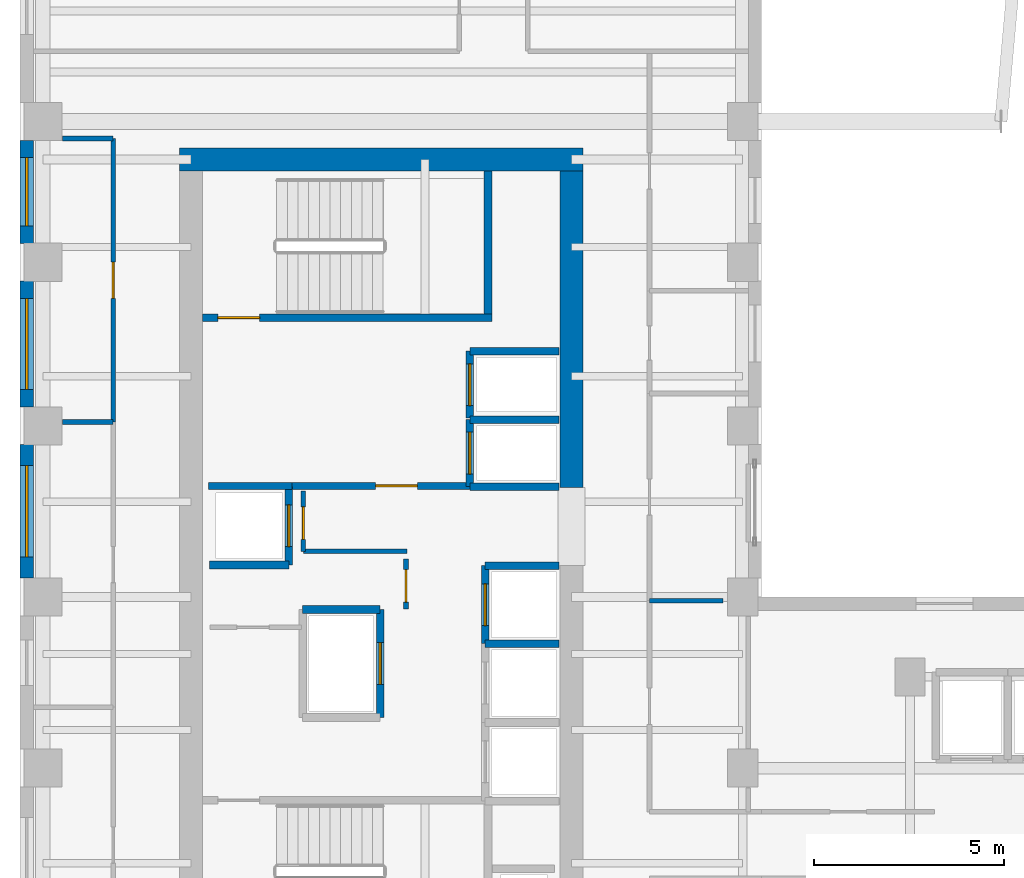
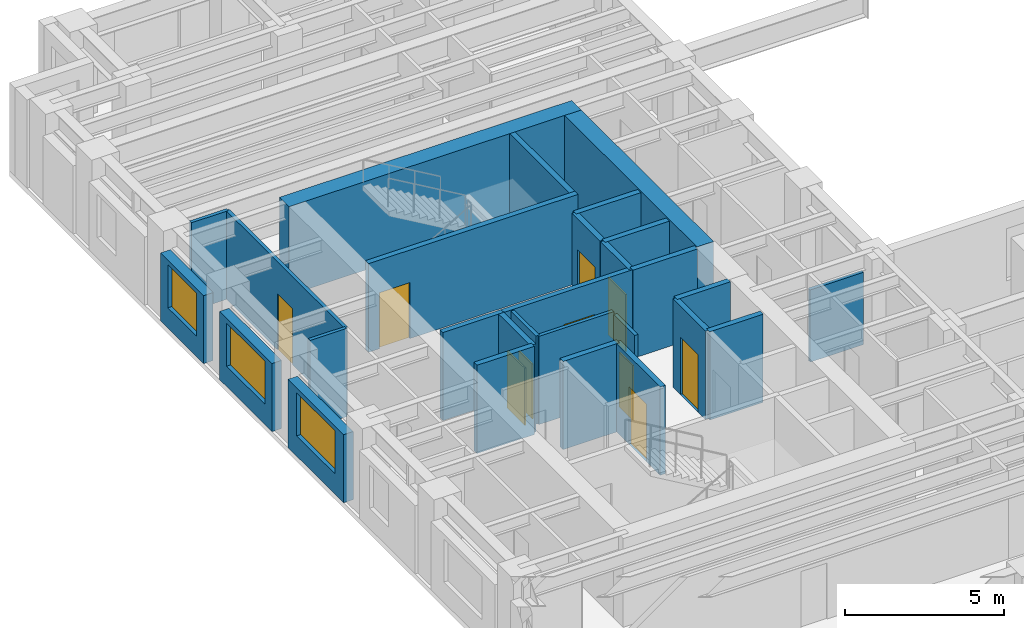
# One storey, part 7 of 13: 28 walls, 10 doors, 3 windows, 13 openings.
"""IFC4 building model written with IfcOpenShell, lengths in metres."""

import ifcopenshell
import ifcopenshell.guid

model = None  # the IFC model being written
_history = None  # IfcOwnerHistory: only IFC2X3 demands one
_inside = {}  # id of a spatial element -> (the spatial element, [elements in it])
_under = {}  # id of a project, library or spatial element -> (it, [spatial elements below it])
_declared = {}  # id of a project -> (the project, [libraries it declares])
_typed = {}  # id of a type object -> (the type object, [elements of that type])
_made_of = {}  # id of a material, layer set ... -> (it, [elements and type objects made of it])


def new_model(schema):
    """Start an empty IFC model of exactly this schema.

    Asked for "IFC4X3", IfcOpenShell would pick the latest addendum, in which some entities
    have other attributes; the version numbers below select the first issue.
    IFC2X3 requires an IfcOwnerHistory on every rooted entity: one is made here for all.
    """
    global model, _history
    if schema == "IFC4X3":
        model = ifcopenshell.file(schema_version=(4, 3, 0, 0))
    else:
        model = ifcopenshell.file(schema=schema)
    _inside.clear()
    _under.clear()
    _declared.clear()
    _typed.clear()
    _made_of.clear()
    _history = None
    if model.schema == "IFC2X3":
        org = make("IfcOrganization", Name="unknown")
        user = make(
            "IfcPersonAndOrganization",
            ThePerson=make("IfcPerson", FamilyName="unknown"),
            TheOrganization=org,
        )
        app = make(
            "IfcApplication",
            ApplicationDeveloper=org,
            Version="unknown",
            ApplicationFullName="unknown",
            ApplicationIdentifier="unknown",
        )
        _history = make(
            "IfcOwnerHistory",
            OwningUser=user,
            OwningApplication=app,
            ChangeAction="ADDED",
            CreationDate=0,
        )
    return model


def make(cls, **values):
    """One entity of the class cls with the attributes given. An attribute that is None is left unset."""
    return model.create_entity(
        cls, **{name: value for name, value in values.items() if value is not None}
    )


def rooted(cls, **values):
    """An entity with a GlobalId (a new one), such as an element, a storey or a relation."""
    return make(cls, GlobalId=ifcopenshell.guid.new(), OwnerHistory=_history, **values)


def si_unit(unit_type, name, prefix=None):
    """IfcSIUnit, for example si_unit("LENGTHUNIT", "METRE", prefix="MILLI")."""
    return make("IfcSIUnit", UnitType=unit_type, Prefix=prefix, Name=name)


def assignment(units):
    """IfcUnitAssignment: the units of a project."""
    return None if units is None else make("IfcUnitAssignment", Units=units)


def point(xyz):
    """IfcCartesianPoint."""
    return None if xyz is None else make("IfcCartesianPoint", Coordinates=xyz)


def direction(xyz):
    """IfcDirection."""
    return None if xyz is None else make("IfcDirection", DirectionRatios=xyz)


def frame(location, z_axis=None, x_axis=None):
    """IfcAxis2Placement3D, a coordinate frame: its origin and axes. An axis left out is left unset."""
    return make(
        "IfcAxis2Placement3D",
        Location=point(location),
        Axis=direction(z_axis),
        RefDirection=direction(x_axis),
    )


def frame_2d(location, x_axis=None):
    """IfcAxis2Placement2D, a coordinate frame in the plane: its origin and x axis."""
    return make(
        "IfcAxis2Placement2D", Location=point(location), RefDirection=direction(x_axis)
    )


def origin():
    """The frame at (0, 0, 0) with its axes left unset."""
    return frame((0.0, 0.0, 0.0))


def place(relative_to, where):
    """IfcLocalPlacement: puts the frame where relative to a parent placement (None: the world)."""
    return make(
        "IfcLocalPlacement", PlacementRelTo=relative_to, RelativePlacement=where
    )


def context(
    kind, dimensions, precision=None, world=None, true_north=None, identifier=None
):
    """IfcGeometricRepresentationContext, for example the 3D "Model" context."""
    return make(
        "IfcGeometricRepresentationContext",
        ContextIdentifier=identifier,
        ContextType=kind,
        CoordinateSpaceDimension=dimensions,
        Precision=precision,
        WorldCoordinateSystem=world,
        TrueNorth=true_north,
    )


def subcontext(parent, identifier, kind, view, scale=None):
    """IfcGeometricRepresentationSubContext, for example "Body" below "Model"."""
    return make(
        "IfcGeometricRepresentationSubContext",
        ContextIdentifier=identifier,
        ContextType=kind,
        ParentContext=parent,
        TargetScale=scale,
        TargetView=view,
    )


def project(units=None, contexts=None):
    """IfcProject with its units and contexts."""
    return rooted(
        "IfcProject",
        Name="project",
        RepresentationContexts=contexts,
        UnitsInContext=assignment(units),
    )


def spatial(cls, under=None, at=None, **own):
    """A site, building, storey or space (cls), placed at a placement, below another one or the project."""
    s = rooted(cls, ObjectPlacement=at, **own)
    if under is not None:
        _under.setdefault(under.id(), (under, []))[1].append(s)
    return s


def profile(cls, at=None, kind="AREA", **sizes):
    """A parametric profile (cls). Its sizes go by their IFC names, for example OverallWidth=200.0."""
    return make(cls, ProfileType=kind, Position=at, **sizes)


def rectangle(**sizes):
    """IfcRectangleProfileDef."""
    return profile("IfcRectangleProfileDef", **sizes)


def extrude(swept, where, along, depth):
    """IfcExtrudedAreaSolid: the profile swept, set in the frame where, extruded along a direction by depth."""
    return make(
        "IfcExtrudedAreaSolid",
        SweptArea=swept,
        Position=where,
        ExtrudedDirection=direction(along),
        Depth=depth,
    )


def shape(context_of_items, identifier, shape_type, items):
    """IfcShapeRepresentation: the items that make up one representation, for example the "Body"."""
    return make(
        "IfcShapeRepresentation",
        ContextOfItems=context_of_items,
        RepresentationIdentifier=identifier,
        RepresentationType=shape_type,
        Items=items,
    )


def source(mapping_origin, context_of_items, identifier, shape_type, items):
    """IfcRepresentationMap: a shape defined once, which mapped items show again and again."""
    return make(
        "IfcRepresentationMap",
        MappingOrigin=mapping_origin,
        MappedRepresentation=shape(context_of_items, identifier, shape_type, items),
    )


def transform(
    local_origin,
    x_axis=None,
    y_axis=None,
    z_axis=None,
    scale=None,
    scale2=None,
    scale3=None,
    uniform=True,
):
    """IfcCartesianTransformationOperator3D, or its non-uniform kind. x_axis, y_axis, z_axis: its Axis1, 2, 3."""
    if uniform:
        return make(
            "IfcCartesianTransformationOperator3D",
            Axis1=direction(x_axis),
            Axis2=direction(y_axis),
            LocalOrigin=point(local_origin),
            Scale=scale,
            Axis3=direction(z_axis),
        )
    return make(
        "IfcCartesianTransformationOperator3DnonUniform",
        Axis1=direction(x_axis),
        Axis2=direction(y_axis),
        LocalOrigin=point(local_origin),
        Scale=scale,
        Axis3=direction(z_axis),
        Scale2=scale2,
        Scale3=scale3,
    )


def mapped(mapping_source, mapping_target):
    """IfcMappedItem: shows the shape of a source again, moved by a transform."""
    return make(
        "IfcMappedItem", MappingSource=mapping_source, MappingTarget=mapping_target
    )


def material(Name=None, Category=None):
    """IfcMaterial."""
    return make("IfcMaterial", Name=Name, Category=Category)


def layer(
    of_material, thickness, ventilated=None, Name=None, Category=None, Priority=None
):
    """IfcMaterialLayer: one layer of a wall or slab, of a material (None: an air gap)."""
    return make(
        "IfcMaterialLayer",
        Material=of_material,
        LayerThickness=thickness,
        IsVentilated=ventilated,
        Name=Name,
        Category=Category,
        Priority=Priority,
    )


def layer_set(layers, Name=None):
    """IfcMaterialLayerSet."""
    return make("IfcMaterialLayerSet", MaterialLayers=layers, LayerSetName=Name)


def made_of(thing, what):
    """Note that an element or type object is made of a material, layer set ...; save() writes the relation."""
    if what is not None:
        _made_of.setdefault(what.id(), (what, []))[1].append(thing)
    return thing


def type_object(cls, material=None, **own):
    """A type object (cls), such as IfcWallType, which elements share."""
    return made_of(rooted(cls, **own), material)


def element(
    cls,
    number,
    at=None,
    inside=None,
    cuts=None,
    type_object=None,
    material=None,
    context=None,
    identifier="Body",
    shape_type=None,
    held_by="IfcProductDefinitionShape",
    body=None,
    shapes=None,
    **own,
):
    """One element of the class cls, such as IfcWall. Its Tag is "e" and its number.

    at: its placement. inside: the storey or other place that contains it. cuts: it is an
    opening in that element (IfcRelVoidsElement). A single representation is given by context,
    identifier, shape_type and body (its items); several are given by shapes. held_by: the class
    of the entity that holds the representations. save() writes the other relations.
    """
    e = rooted(cls, Tag="e%d" % number, ObjectPlacement=at, **own)
    if body is not None:
        shapes = [shape(context, identifier, shape_type, body)]
    if shapes is not None:
        e.Representation = make(held_by, Representations=shapes)
    if inside is not None:
        _inside.setdefault(inside.id(), (inside, []))[1].append(e)
    if cuts is not None:
        rooted(
            "IfcRelVoidsElement", RelatingBuildingElement=cuts, RelatedOpeningElement=e
        )
    if type_object is not None:
        _typed.setdefault(type_object.id(), (type_object, []))[1].append(e)
    return made_of(e, material)


def fill(opening, filler):
    """IfcRelFillsElement: the door or window that sits in an opening."""
    return rooted(
        "IfcRelFillsElement",
        RelatingOpeningElement=opening,
        RelatedBuildingElement=filler,
    )


def aggregate(whole, parts):
    """IfcRelAggregates: a whole, such as a stair, and the parts it consists of."""
    return rooted("IfcRelAggregates", RelatingObject=whole, RelatedObjects=parts)


def save(model, path):
    """Write the relations noted so far, then the file.

    IfcRelAggregates (storeys below a building ...), IfcRelContainedInSpatialStructure (elements
    in a storey), IfcRelDefinesByType, IfcRelAssociatesMaterial and IfcRelDeclares: one each for
    every whole, place, type object, material and project.
    """
    for whole, parts in _under.values():
        aggregate(whole, parts)
    for where, things in _inside.values():
        rooted(
            "IfcRelContainedInSpatialStructure",
            RelatedElements=things,
            RelatingStructure=where,
        )
    for kind, things in _typed.values():
        rooted("IfcRelDefinesByType", RelatedObjects=things, RelatingType=kind)
    for what, things in _made_of.values():
        rooted("IfcRelAssociatesMaterial", RelatedObjects=things, RelatingMaterial=what)
    for by, libraries in _declared.values():
        rooted("IfcRelDeclares", RelatingContext=by, RelatedDefinitions=libraries)
    model.write(path)


model = new_model("IFC4")

# Units and contexts
model_context = context("Model", 3, precision=1e-05, world=origin(), true_north=direction((0.0, 1.0)))
body_context = subcontext(model_context, "Body", "Model", "MODEL_VIEW")
ifc_project = project(units=[si_unit("LENGTHUNIT", "METRE"), si_unit("AREAUNIT", "SQUARE_METRE"), si_unit("VOLUMEUNIT", "CUBIC_METRE"), si_unit("PLANEANGLEUNIT", "RADIAN"), si_unit("MASSUNIT", "GRAM", prefix="KILO")], contexts=[model_context])

# Site, building, storey
site_placement = place(None, origin())
site = spatial("IfcSite", under=ifc_project, at=site_placement, CompositionType="ELEMENT")
building_placement = place(site_placement, origin())
building = spatial("IfcBuilding", under=site, at=building_placement, Name="Kharzan Plaza Tower", CompositionType="ELEMENT")
storey_placement = place(building_placement, frame((0.0, 0.0, 197.10009765625)))
storey = spatial("IfcBuildingStorey", under=building, at=storey_placement, Name="L53", CompositionType="ELEMENT", Elevation=197.10009765625)

# Wall, opening, window
ifc_material_1 = material(Name="Concrete C40/50", Category="concrete")
ifc_layer_1 = layer(ifc_material_1, 0.35009765625)
ifc_layer_set_1 = layer_set([ifc_layer_1], Name="Concrete C40/50")
wall_type_1 = type_object("IfcWallType", Name="WL-EXT-MAS-Z3", PredefinedType="SOLIDWALL", material=ifc_layer_set_1)
wall_1_placement = place(storey_placement, frame((0.175048828125, 30.001953125, 0.0), z_axis=(0.0, 0.0, 1.0), x_axis=(0.0, -1.0, 0.0)))
wall_1 = element("IfcWall", 1, at=wall_1_placement, inside=storey, type_object=wall_type_1, Name="L53 Masonry-Frame Exterior Wall 12", PredefinedType="SOLIDWALL", context=body_context, shape_type="SweptSolid", body=[
    extrude(rectangle(XDim=2.703857421875, YDim=0.35009765625, at=frame_2d((1.35205078125, 0.0))), origin(), (0.0, 0.0, 1.0), 2.61181640625),
])
opening_1_placement = place(wall_1_placement, frame((0.451904296875, 0.0, 0.780029296875)))
opening_1 = element("IfcOpeningElement", 2, at=opening_1_placement, cuts=wall_1, Name="Opening W1", PredefinedType="OPENING", context=body_context, shape_type="SweptSolid", body=[
    extrude(rectangle(XDim=1.800048828125, YDim=1.652099609375, at=frame_2d((0.89990234375, 0.826171875))), frame((0.0, 0.18505859375, 0.0), z_axis=(0.0, -1.0, 0.0), x_axis=(1.0, 0.0, 0.0)), (0.0, 0.0, 1.0), 0.3701171875),
])
ifc_material_2 = material(Name="Low-E Double Glazing", Category="glass")
window_type_1 = type_object("IfcWindowType", Name="WN-REC-1800x2100", PartitioningType="SINGLE_PANEL", PredefinedType="WINDOW", material=ifc_material_2)
shared_shape_1 = source(origin(), body_context, "Body", "SweptSolid", [
    extrude(rectangle(XDim=1.800048828125, YDim=1.652099609375, at=frame_2d((0.89990234375, 0.826171875))), frame((0.0, 0.030029296875, 0.0), z_axis=(0.0, -1.0, 0.0), x_axis=(1.0, 0.0, 0.0)), (0.0, 0.0, 1.0), 0.06005859375),
])
window_1_placement = place(opening_1_placement, origin())
window_1 = element("IfcWindow", 3, at=window_1_placement, inside=storey, type_object=window_type_1, Name="L53 Recessed Solar-Control Window 12-1", OverallHeight=1.652099609375, OverallWidth=1.800048828125, PartitioningType="SINGLE_PANEL", PredefinedType="WINDOW", context=body_context, shape_type="MappedRepresentation", body=[
    mapped(shared_shape_1, transform((0.0, 0.0, 0.0), x_axis=(1.0, 0.0, 0.0), y_axis=(0.0, 1.0, 0.0), z_axis=(0.0, 0.0, 1.0))),
])
fill(opening_1, window_1)

wall_2_placement = place(storey_placement, frame((0.175048828125, 26.302001953125, 0.0), z_axis=(0.0, 0.0, 1.0), x_axis=(0.0, -1.0, 0.0)))
wall_2 = element("IfcWall", 4, at=wall_2_placement, inside=storey, type_object=wall_type_1, Name="L53 Masonry-Frame Exterior Wall 13", PredefinedType="SOLIDWALL", context=body_context, shape_type="SweptSolid", body=[
    extrude(rectangle(XDim=3.303955078125, YDim=0.35009765625, at=frame_2d((1.65185546875, 0.0))), origin(), (0.0, 0.0, 1.0), 2.61181640625),
])
opening_2_placement = place(wall_2_placement, frame((0.451904296875, 0.0, 0.780029296875)))
opening_2 = element("IfcOpeningElement", 5, at=opening_2_placement, cuts=wall_2, Name="Opening W2", PredefinedType="OPENING", context=body_context, shape_type="SweptSolid", body=[
    extrude(rectangle(XDim=2.39990234375, YDim=1.652099609375, at=frame_2d((1.199951171875, 0.826171875))), frame((0.0, 0.18505859375, 0.0), z_axis=(0.0, -1.0, 0.0), x_axis=(1.0, 0.0, 0.0)), (0.0, 0.0, 1.0), 0.3701171875),
])
window_type_2 = type_object("IfcWindowType", Name="WN-REC-2400x2100", PartitioningType="SINGLE_PANEL", PredefinedType="WINDOW", material=ifc_material_2)
shared_shape_2 = source(origin(), body_context, "Body", "SweptSolid", [
    extrude(rectangle(XDim=2.39990234375, YDim=1.652099609375, at=frame_2d((1.199951171875, 0.826171875))), frame((0.0, 0.030029296875, 0.0), z_axis=(0.0, -1.0, 0.0), x_axis=(1.0, 0.0, 0.0)), (0.0, 0.0, 1.0), 0.06005859375),
])
window_2_placement = place(opening_2_placement, origin())
window_2 = element("IfcWindow", 6, at=window_2_placement, inside=storey, type_object=window_type_2, Name="L53 Wide Recessed Solar-Control Window 13-1", OverallHeight=1.652099609375, OverallWidth=2.39990234375, PartitioningType="SINGLE_PANEL", PredefinedType="WINDOW", context=body_context, shape_type="MappedRepresentation", body=[
    mapped(shared_shape_2, transform((0.0, 0.0, 0.0), x_axis=(1.0, 0.0, 0.0), y_axis=(0.0, 1.0, 0.0), z_axis=(0.0, 0.0, 1.0))),
])
fill(opening_2, window_2)

wall_3_placement = place(storey_placement, frame((0.175048828125, 22.001953125, 0.0), z_axis=(0.0, 0.0, 1.0), x_axis=(0.0, -1.0, 0.0)))
wall_3 = element("IfcWall", 7, at=wall_3_placement, inside=storey, type_object=wall_type_1, Name="L53 Masonry-Frame Exterior Wall 14", PredefinedType="SOLIDWALL", context=body_context, shape_type="SweptSolid", body=[
    extrude(rectangle(XDim=3.50390625, YDim=0.35009765625, at=frame_2d((1.751953125, 0.0))), origin(), (0.0, 0.0, 1.0), 2.61181640625),
])
opening_3_placement = place(wall_3_placement, frame((0.552001953125, 0.0, 0.780029296875)))
opening_3 = element("IfcOpeningElement", 8, at=opening_3_placement, cuts=wall_3, Name="Opening W2", PredefinedType="OPENING", context=body_context, shape_type="SweptSolid", body=[
    extrude(rectangle(XDim=2.39990234375, YDim=1.652099609375, at=frame_2d((1.199951171875, 0.826171875))), frame((0.0, 0.18505859375, 0.0), z_axis=(0.0, -1.0, 0.0), x_axis=(1.0, 0.0, 0.0)), (0.0, 0.0, 1.0), 0.3701171875),
])
window_3_placement = place(opening_3_placement, origin())
window_3 = element("IfcWindow", 9, at=window_3_placement, inside=storey, type_object=window_type_2, Name="L53 Wide Recessed Solar-Control Window 14-1", OverallHeight=1.652099609375, OverallWidth=2.39990234375, PartitioningType="SINGLE_PANEL", PredefinedType="WINDOW", context=body_context, shape_type="MappedRepresentation", body=[
    mapped(shared_shape_2, transform((0.0, 0.0, 0.0), x_axis=(1.0, 0.0, 0.0), y_axis=(0.0, 1.0, 0.0), z_axis=(0.0, 0.0, 1.0))),
])
fill(opening_3, window_3)

# Wall, opening, door
ifc_layer_2 = layer(ifc_material_1, 0.179931640625)
ifc_layer_set_2 = layer_set([ifc_layer_2], Name="Concrete C40/50")
wall_type_2 = type_object("IfcWallType", Name="WL-INT-FIRE-180", PredefinedType="PARTITIONING", material=ifc_layer_set_2)
wall_4_placement = place(storey_placement, frame((7.14990234375, 20.919921875, 0.0), z_axis=(0.0, 0.0, 1.0), x_axis=(1.0, 0.0, 0.0)))
wall_4 = element("IfcWall", 10, at=wall_4_placement, inside=storey, type_object=wall_type_2, Name="L53 Interior Partition CA-FF-S", PredefinedType="PARTITIONING", context=body_context, shape_type="SweptSolid", body=[
    extrude(rectangle(XDim=4.68017578125, YDim=0.179931640625, at=frame_2d((2.340087890625, 0.0))), origin(), (0.0, 0.0, 1.0), 3.385009765625),
])
opening_4_placement = place(wall_4_placement, frame((2.199951171875, 0.0, 0.0)))
opening_4 = element("IfcOpeningElement", 11, at=opening_4_placement, cuts=wall_4, Name="Opening FD1", PredefinedType="OPENING", context=body_context, shape_type="SweptSolid", body=[
    extrude(rectangle(XDim=1.10009765625, YDim=2.14990234375, at=frame_2d((0.550048828125, 1.074951171875))), frame((0.0, 0.099853515625, 0.0), z_axis=(0.0, -1.0, 0.0), x_axis=(1.0, 0.0, 0.0)), (0.0, 0.0, 1.0), 0.199951171875),
])
ifc_material_3 = material(Name="Fire-Rated Acoustic Vision-Panel Steel", Category="steel")
door_type_1 = type_object("IfcDoorType", Name="DR-FIRE-LOBBY", OperationType="NOTDEFINED", PredefinedType="DOOR", material=ifc_material_3)
shared_shape_3 = source(origin(), body_context, "Body", "SweptSolid", [
    extrude(rectangle(XDim=1.10009765625, YDim=2.14990234375, at=frame_2d((0.550048828125, 1.074951171875))), frame((0.0, 0.02490234375, 0.0), z_axis=(0.0, -1.0, 0.0), x_axis=(1.0, 0.0, 0.0)), (0.0, 0.0, 1.0), 0.050048828125),
])
door_1_placement = place(opening_4_placement, origin())
door_1 = element("IfcDoor", 12, at=door_1_placement, inside=storey, type_object=door_type_1, Name="L53 Firefighting Lobby Door", OperationType="SINGLE_SWING_LEFT", OverallHeight=2.14990234375, OverallWidth=1.10009765625, PredefinedType="DOOR", context=body_context, shape_type="MappedRepresentation", body=[
    mapped(shared_shape_3, transform((0.0, 0.0, 0.0), x_axis=(1.0, 0.0, 0.0), y_axis=(0.0, 1.0, 0.0), z_axis=(0.0, 0.0, 1.0))),
])
fill(opening_4, door_1)

ifc_material_4 = material(Name="Fire-Rated Gypsum Board Partition", Category="gypsum")
ifc_layer_3 = layer(ifc_material_4, 0.125)
ifc_layer_set_3 = layer_set([ifc_layer_3], Name="Fire-Rated Gypsum Board Partition")
wall_type_3 = type_object("IfcWallType", Name="WL-INT-PART-125", PredefinedType="PARTITIONING", material=ifc_layer_set_3)
wall_5_placement = place(storey_placement, frame((10.14990234375, 17.679931640625, 0.0), z_axis=(0.0, 0.0, 1.0), x_axis=(0.0, 1.0, 0.0)))
wall_5 = element("IfcWall", 13, at=wall_5_placement, inside=storey, type_object=wall_type_3, Name="L53 Interior Partition CA-K2A", PredefinedType="PARTITIONING", context=body_context, shape_type="SweptSolid", body=[
    extrude(rectangle(XDim=1.320068359375, YDim=0.125, at=frame_2d((0.66015625, 0.0))), origin(), (0.0, 0.0, 1.0), 3.385009765625),
])
opening_5_placement = place(wall_5_placement, frame((0.18505859375, 0.0, 0.0)))
opening_5 = element("IfcOpeningElement", 14, at=opening_5_placement, cuts=wall_5, Name="Opening RD1", PredefinedType="OPENING", context=body_context, shape_type="SweptSolid", body=[
    extrude(rectangle(XDim=0.85009765625, YDim=2.10009765625, at=frame_2d((0.425048828125, 1.050048828125))), frame((0.0, 0.072509765625, 0.0), z_axis=(0.0, -1.0, 0.0), x_axis=(1.0, 0.0, 0.0)), (0.0, 0.0, 1.0), 0.14501953125),
])
ifc_material_5 = material(Name="Powder-Coated Fire-Rated Steel", Category="steel")
door_type_2 = type_object("IfcDoorType", Name="DR-RISER-900", OperationType="NOTDEFINED", PredefinedType="DOOR", material=ifc_material_5)
shared_shape_4 = source(origin(), body_context, "Body", "SweptSolid", [
    extrude(rectangle(XDim=0.85009765625, YDim=2.10009765625, at=frame_2d((0.425048828125, 1.050048828125))), frame((0.0, 0.02490234375, 0.0), z_axis=(0.0, -1.0, 0.0), x_axis=(1.0, 0.0, 0.0)), (0.0, 0.0, 1.0), 0.050048828125),
])
door_2_placement = place(opening_5_placement, origin())
door_2 = element("IfcDoor", 15, at=door_2_placement, inside=storey, type_object=door_type_2, Name="L53 Core Mechanical Store Door", OperationType="SINGLE_SWING_RIGHT", OverallHeight=2.10009765625, OverallWidth=0.85009765625, PredefinedType="DOOR", context=body_context, shape_type="MappedRepresentation", body=[
    mapped(shared_shape_4, transform((0.0, 0.0, 0.0), x_axis=(1.0, 0.0, 0.0), y_axis=(0.0, 1.0, 0.0), z_axis=(0.0, 0.0, 1.0))),
])
fill(opening_5, door_2)

wall_6_placement = place(storey_placement, frame((7.449951171875, 19.199951171875, 0.0), z_axis=(0.0, 0.0, 1.0), x_axis=(0.0, 1.0, 0.0)))
wall_6 = element("IfcWall", 16, at=wall_6_placement, inside=storey, type_object=wall_type_3, Name="L53 Interior Partition CA-K2B", PredefinedType="PARTITIONING", context=body_context, shape_type="SweptSolid", body=[
    extrude(rectangle(XDim=1.580078125, YDim=0.125, at=frame_2d((0.7900390625, 0.0))), origin(), (0.0, 0.0, 1.0), 3.385009765625),
])
opening_6_placement = place(wall_6_placement, frame((0.31494140625, 0.0, 0.0)))
opening_6 = element("IfcOpeningElement", 17, at=opening_6_placement, cuts=wall_6, Name="Opening RD1", PredefinedType="OPENING", context=body_context, shape_type="SweptSolid", body=[
    extrude(rectangle(XDim=0.85009765625, YDim=2.10009765625, at=frame_2d((0.425048828125, 1.050048828125))), frame((0.0, 0.072509765625, 0.0), z_axis=(0.0, -1.0, 0.0), x_axis=(1.0, 0.0, 0.0)), (0.0, 0.0, 1.0), 0.14501953125),
])
door_3_placement = place(opening_6_placement, origin())
door_3 = element("IfcDoor", 18, at=door_3_placement, inside=storey, type_object=door_type_2, Name="L53 Core Plant Store Door", OperationType="SINGLE_SWING_LEFT", OverallHeight=2.10009765625, OverallWidth=0.85009765625, PredefinedType="DOOR", context=body_context, shape_type="MappedRepresentation", body=[
    mapped(shared_shape_4, transform((0.0, 0.0, 0.0), x_axis=(1.0, 0.0, 0.0), y_axis=(0.0, 1.0, 0.0), z_axis=(0.0, 0.0, 1.0))),
])
fill(opening_6, door_3)

wall_7_placement = place(storey_placement, frame((2.449951171875, 22.60009765625, 0.0), z_axis=(0.0, 0.0, 1.0), x_axis=(0.0, 1.0, 0.0)))
wall_7 = element("IfcWall", 19, at=wall_7_placement, inside=storey, type_object=wall_type_3, Name="L53 Interior Partition SH-WW-3", PredefinedType="PARTITIONING", context=body_context, shape_type="SweptSolid", body=[
    extrude(rectangle(XDim=7.449951171875, YDim=0.125, at=frame_2d((3.72509765625, 0.0))), origin(), (0.0, 0.0, 1.0), 3.385009765625),
])
opening_7_placement = place(wall_7_placement, frame((3.25, 0.0, 0.0)))
opening_7 = element("IfcOpeningElement", 20, at=opening_7_placement, cuts=wall_7, Name="Opening OD1", PredefinedType="OPENING", context=body_context, shape_type="SweptSolid", body=[
    extrude(rectangle(XDim=0.949951171875, YDim=2.14990234375, at=frame_2d((0.47509765625, 1.074951171875))), frame((0.0, 0.072509765625, 0.0), z_axis=(0.0, -1.0, 0.0), x_axis=(1.0, 0.0, 0.0)), (0.0, 0.0, 1.0), 0.14501953125),
])
ifc_material_6 = material(Name="Acoustic Solid-Core Stained Oak", Category="timber")
door_type_3 = type_object("IfcDoorType", Name="DR-OFF-SINGLE", OperationType="NOTDEFINED", PredefinedType="DOOR", material=ifc_material_6)
shared_shape_5 = source(origin(), body_context, "Body", "SweptSolid", [
    extrude(rectangle(XDim=0.949951171875, YDim=2.14990234375, at=frame_2d((0.47509765625, 1.074951171875))), frame((0.0, 0.02490234375, 0.0), z_axis=(0.0, -1.0, 0.0), x_axis=(1.0, 0.0, 0.0)), (0.0, 0.0, 1.0), 0.050048828125),
])
door_4_placement = place(opening_7_placement, origin())
door_4 = element("IfcDoor", 21, at=door_4_placement, inside=storey, type_object=door_type_3, Name="L53 Staff Tea Pantry Door", OperationType="SINGLE_SWING_RIGHT", OverallHeight=2.14990234375, OverallWidth=0.949951171875, PredefinedType="DOOR", context=body_context, shape_type="MappedRepresentation", body=[
    mapped(shared_shape_5, transform((0.0, 0.0, 0.0), x_axis=(1.0, 0.0, 0.0), y_axis=(0.0, 1.0, 0.0), z_axis=(0.0, 0.0, 1.0))),
])
fill(opening_7, door_4)

ifc_layer_4 = layer(ifc_material_1, 0.199951171875)
ifc_layer_set_4 = layer_set([ifc_layer_4], Name="Concrete C40/50")
wall_type_4 = type_object("IfcWallType", Name="WL-INT-SHAFT-200", PredefinedType="PARTITIONING", material=ifc_layer_set_4)
wall_8_placement = place(storey_placement, frame((11.830078125, 20.89990234375, 0.0), z_axis=(0.0, 0.0, 1.0), x_axis=(0.0, 1.0, 0.0)))
wall_8 = element("IfcWall", 22, at=wall_8_placement, inside=storey, type_object=wall_type_4, Name="L53 Interior Partition SHF-FFL-1-W", PredefinedType="PARTITIONING", context=body_context, shape_type="SweptSolid", body=[
    extrude(rectangle(XDim=1.760009765625, YDim=0.199951171875, at=frame_2d((0.8798828125, 0.0))), origin(), (0.0, 0.0, 1.0), 3.385009765625),
])
opening_8_placement = place(wall_8_placement, frame((0.330078125, 0.0, 0.0)))
opening_8 = element("IfcOpeningElement", 23, at=opening_8_placement, cuts=wall_8, Name="Opening LD", PredefinedType="OPENING", context=body_context, shape_type="SweptSolid", body=[
    extrude(rectangle(XDim=1.10009765625, YDim=2.199951171875, at=frame_2d((0.550048828125, 1.10009765625))), frame((0.0, 0.10986328125, 0.0), z_axis=(0.0, -1.0, 0.0), x_axis=(1.0, 0.0, 0.0)), (0.0, 0.0, 1.0), 0.219970703125),
])
ifc_material_7 = material(Name="Brushed Stainless Steel", Category="steel")
door_type_4 = type_object("IfcDoorType", Name="DR-LIFT-SLIDE", OperationType="SLIDING_TO_LEFT", PredefinedType="DOOR", material=ifc_material_7)
shared_shape_6 = source(origin(), body_context, "Body", "SweptSolid", [
    extrude(rectangle(XDim=1.10009765625, YDim=2.199951171875, at=frame_2d((0.550048828125, 1.10009765625))), frame((0.0, 0.02490234375, 0.0), z_axis=(0.0, -1.0, 0.0), x_axis=(1.0, 0.0, 0.0)), (0.0, 0.0, 1.0), 0.050048828125),
])
door_5_placement = place(opening_8_placement, origin())
door_5 = element("IfcDoor", 24, at=door_5_placement, inside=storey, type_object=door_type_4, Name="L53 Firefighting Lift FFL-1 Sliding Landing Door", OperationType="SLIDING_TO_LEFT", OverallHeight=2.199951171875, OverallWidth=1.10009765625, PredefinedType="DOOR", context=body_context, shape_type="MappedRepresentation", body=[
    mapped(shared_shape_6, transform((0.0, 0.0, 0.0), x_axis=(1.0, 0.0, 0.0), y_axis=(0.0, 1.0, 0.0), z_axis=(0.0, 0.0, 1.0))),
])
fill(opening_8, door_5)

wall_9_placement = place(storey_placement, frame((11.830078125, 22.699951171875, 0.0), z_axis=(0.0, 0.0, 1.0), x_axis=(0.0, 1.0, 0.0)))
wall_9 = element("IfcWall", 25, at=wall_9_placement, inside=storey, type_object=wall_type_4, Name="L53 Interior Partition SHF-FFL-2-W", PredefinedType="PARTITIONING", context=body_context, shape_type="SweptSolid", body=[
    extrude(rectangle(XDim=1.760009765625, YDim=0.199951171875, at=frame_2d((0.8798828125, 0.0))), origin(), (0.0, 0.0, 1.0), 3.385009765625),
])
opening_9_placement = place(wall_9_placement, frame((0.330078125, 0.0, 0.0)))
opening_9 = element("IfcOpeningElement", 26, at=opening_9_placement, cuts=wall_9, Name="Opening LD", PredefinedType="OPENING", context=body_context, shape_type="SweptSolid", body=[
    extrude(rectangle(XDim=1.10009765625, YDim=2.199951171875, at=frame_2d((0.550048828125, 1.10009765625))), frame((0.0, 0.10986328125, 0.0), z_axis=(0.0, -1.0, 0.0), x_axis=(1.0, 0.0, 0.0)), (0.0, 0.0, 1.0), 0.219970703125),
])
door_6_placement = place(opening_9_placement, origin())
door_6 = element("IfcDoor", 27, at=door_6_placement, inside=storey, type_object=door_type_4, Name="L53 Firefighting Lift FFL-2 Sliding Landing Door", OperationType="SLIDING_TO_LEFT", OverallHeight=2.199951171875, OverallWidth=1.10009765625, PredefinedType="DOOR", context=body_context, shape_type="MappedRepresentation", body=[
    mapped(shared_shape_6, transform((0.0, 0.0, 0.0), x_axis=(1.0, 0.0, 0.0), y_axis=(0.0, 1.0, 0.0), z_axis=(0.0, 0.0, 1.0))),
])
fill(opening_9, door_6)

wall_10_placement = place(storey_placement, frame((12.22998046875, 16.77001953125, 0.0), z_axis=(0.0, 0.0, 1.0), x_axis=(0.0, 1.0, 0.0)))
wall_10 = element("IfcWall", 28, at=wall_10_placement, inside=storey, type_object=wall_type_4, Name="L53 Interior Partition SHF-PL-H3-W", PredefinedType="PARTITIONING", context=body_context, shape_type="SweptSolid", body=[
    extrude(rectangle(XDim=2.050048828125, YDim=0.199951171875, at=frame_2d((1.02490234375, 0.0))), origin(), (0.0, 0.0, 1.0), 3.385009765625),
])
opening_10_placement = place(wall_10_placement, frame((0.47509765625, 0.0, 0.0)))
opening_10 = element("IfcOpeningElement", 29, at=opening_10_placement, cuts=wall_10, Name="Opening LD", PredefinedType="OPENING", context=body_context, shape_type="SweptSolid", body=[
    extrude(rectangle(XDim=1.10009765625, YDim=2.199951171875, at=frame_2d((0.550048828125, 1.10009765625))), frame((0.0, 0.10986328125, 0.0), z_axis=(0.0, -1.0, 0.0), x_axis=(1.0, 0.0, 0.0)), (0.0, 0.0, 1.0), 0.219970703125),
])
door_7_placement = place(opening_10_placement, origin())
door_7 = element("IfcDoor", 30, at=door_7_placement, inside=storey, type_object=door_type_4, Name="L53 High-Rise Passenger Lift PL-H3 Sliding Landing Door", OperationType="SLIDING_TO_LEFT", OverallHeight=2.199951171875, OverallWidth=1.10009765625, PredefinedType="DOOR", context=body_context, shape_type="MappedRepresentation", body=[
    mapped(shared_shape_6, transform((0.0, 0.0, 0.0), x_axis=(1.0, 0.0, 0.0), y_axis=(0.0, 1.0, 0.0), z_axis=(0.0, 0.0, 1.0))),
])
fill(opening_10, door_7)

wall_11_placement = place(storey_placement, frame((7.070068359375, 18.840087890625, 0.0), z_axis=(0.0, 0.0, 1.0), x_axis=(0.0, 1.0, 0.0)))
wall_11 = element("IfcWall", 31, at=wall_11_placement, inside=storey, type_object=wall_type_4, Name="L53 Interior Partition SHF-PL-H4-E", PredefinedType="PARTITIONING", context=body_context, shape_type="SweptSolid", body=[
    extrude(rectangle(XDim=2.059814453125, YDim=0.199951171875, at=frame_2d((1.02978515625, 0.0))), origin(), (0.0, 0.0, 1.0), 3.385009765625),
])
opening_11_placement = place(wall_11_placement, frame((0.47998046875, 0.0, 0.0)))
opening_11 = element("IfcOpeningElement", 32, at=opening_11_placement, cuts=wall_11, Name="Opening LD", PredefinedType="OPENING", context=body_context, shape_type="SweptSolid", body=[
    extrude(rectangle(XDim=1.10009765625, YDim=2.199951171875, at=frame_2d((0.550048828125, 1.10009765625))), frame((0.0, 0.10986328125, 0.0), z_axis=(0.0, -1.0, 0.0), x_axis=(1.0, 0.0, 0.0)), (0.0, 0.0, 1.0), 0.219970703125),
])
door_8_placement = place(opening_11_placement, origin())
door_8 = element("IfcDoor", 33, at=door_8_placement, inside=storey, type_object=door_type_4, Name="L53 High-Rise Passenger Lift PL-H4 Sliding Landing Door", OperationType="SLIDING_TO_LEFT", OverallHeight=2.199951171875, OverallWidth=1.10009765625, PredefinedType="DOOR", context=body_context, shape_type="MappedRepresentation", body=[
    mapped(shared_shape_6, transform((0.0, 0.0, 0.0), x_axis=(1.0, 0.0, 0.0), y_axis=(0.0, 1.0, 0.0), z_axis=(0.0, 0.0, 1.0))),
])
fill(opening_11, door_8)

wall_12_placement = place(storey_placement, frame((9.469970703125, 14.830078125, 0.0), z_axis=(0.0, 0.0, 1.0), x_axis=(0.0, 1.0, 0.0)))
wall_12 = element("IfcWall", 34, at=wall_12_placement, inside=storey, type_object=wall_type_4, Name="L53 Interior Partition SHF-SVL-1-E", PredefinedType="PARTITIONING", context=body_context, shape_type="SweptSolid", body=[
    extrude(rectangle(XDim=2.83984375, YDim=0.199951171875, at=frame_2d((1.419921875, 0.0))), origin(), (0.0, 0.0, 1.0), 3.385009765625),
])
opening_12_placement = place(wall_12_placement, frame((0.8701171875, 0.0, 0.0)))
opening_12 = element("IfcOpeningElement", 35, at=opening_12_placement, cuts=wall_12, Name="Opening LD", PredefinedType="OPENING", context=body_context, shape_type="SweptSolid", body=[
    extrude(rectangle(XDim=1.10009765625, YDim=2.199951171875, at=frame_2d((0.550048828125, 1.10009765625))), frame((0.0, 0.10986328125, 0.0), z_axis=(0.0, -1.0, 0.0), x_axis=(1.0, 0.0, 0.0)), (0.0, 0.0, 1.0), 0.219970703125),
])
door_9_placement = place(opening_12_placement, origin())
door_9 = element("IfcDoor", 36, at=door_9_placement, inside=storey, type_object=door_type_4, Name="L53 Service Lift SVL-1 Sliding Landing Door", OperationType="SLIDING_TO_LEFT", OverallHeight=2.199951171875, OverallWidth=1.10009765625, PredefinedType="DOOR", context=body_context, shape_type="MappedRepresentation", body=[
    mapped(shared_shape_6, transform((0.0, 0.0, 0.0), x_axis=(1.0, 0.0, 0.0), y_axis=(0.0, 1.0, 0.0), z_axis=(0.0, 0.0, 1.0))),
])
fill(opening_12, door_9)

ifc_material_8 = material(Name="Concrete C50/60", Category="concrete")
ifc_layer_5 = layer(ifc_material_8, 0.199951171875)
ifc_layer_set_5 = layer_set([ifc_layer_5], Name="Concrete C50/60")
wall_type_5 = type_object("IfcWallType", Name="WL-SHAFT-RC200", PredefinedType="SHEAR", material=ifc_layer_set_5)
wall_13_placement = place(storey_placement, frame((4.802001953125, 25.344970703125, 0.0), z_axis=(0.0, 0.0, 1.0), x_axis=(1.0, 0.0, 0.0)))
wall_13 = element("IfcWall", 37, at=wall_13_placement, inside=storey, type_object=wall_type_5, Name="L53 Stair ST-2 South RC Shaft Wall", PredefinedType="SHEAR", context=body_context, shape_type="SweptSolid", body=[
    extrude(rectangle(XDim=7.60302734375, YDim=0.199951171875, at=frame_2d((3.801513671875, 0.0))), origin(), (0.0, 0.0, 1.0), 3.39990234375),
])
opening_13_placement = place(wall_13_placement, frame((0.39990234375, 0.0, 0.0)))
opening_13 = element("IfcOpeningElement", 38, at=opening_13_placement, cuts=wall_13, Name="Opening SD1", PredefinedType="OPENING", context=body_context, shape_type="SweptSolid", body=[
    extrude(rectangle(XDim=1.10009765625, YDim=2.14990234375, at=frame_2d((0.550048828125, 1.074951171875))), frame((0.0, 0.10986328125, 0.0), z_axis=(0.0, -1.0, 0.0), x_axis=(1.0, 0.0, 0.0)), (0.0, 0.0, 1.0), 0.219970703125),
])
ifc_material_9 = material(Name="Fire-Rated Hollow Galvanized Steel", Category="steel")
door_type_5 = type_object("IfcDoorType", Name="DR-STAIR-FD120", OperationType="NOTDEFINED", PredefinedType="DOOR", material=ifc_material_9)
shared_shape_7 = source(origin(), body_context, "Body", "SweptSolid", [
    extrude(rectangle(XDim=1.10009765625, YDim=2.14990234375, at=frame_2d((0.550048828125, 1.074951171875))), frame((0.0, 0.02490234375, 0.0), z_axis=(0.0, -1.0, 0.0), x_axis=(1.0, 0.0, 0.0)), (0.0, 0.0, 1.0), 0.050048828125),
])
door_10_placement = place(opening_13_placement, origin())
door_10 = element("IfcDoor", 39, at=door_10_placement, inside=storey, type_object=door_type_5, Name="L53 Stair ST-2 Fire Exit Door", OperationType="SINGLE_SWING_RIGHT", OverallHeight=2.14990234375, OverallWidth=1.10009765625, PredefinedType="DOOR", context=body_context, shape_type="MappedRepresentation", body=[
    mapped(shared_shape_7, transform((0.0, 0.0, 0.0), x_axis=(1.0, 0.0, 0.0), y_axis=(0.0, 1.0, 0.0), z_axis=(0.0, 0.0, 1.0))),
])
fill(opening_13, door_10)

# Walls
ifc_layer_6 = layer(ifc_material_8, 0.60009765625)
ifc_layer_set_6 = layer_set([ifc_layer_6], Name="Concrete C50/60")
wall_type_6 = type_object("IfcWallType", Name="WL-CORE-600", PredefinedType="SHEAR", material=ifc_layer_set_6)
shared_shape_8 = source(origin(), body_context, "Body", "SweptSolid", [
    extrude(rectangle(XDim=8.320068359375, YDim=0.60009765625, at=frame_2d((4.16015625, 0.0))), origin(), (0.0, 0.0, 1.0), 3.39990234375),
])
wall_14_placement = place(storey_placement, frame((14.5, 20.8798828125, 0.0), z_axis=(0.0, 0.0, 1.0), x_axis=(0.0, 1.0, 0.0)))
element("IfcWall", 40, at=wall_14_placement, inside=storey, type_object=wall_type_6, Name="L53 CORE-A east shear pier 2", PredefinedType="SHEAR", context=body_context, shape_type="MappedRepresentation", body=[
    mapped(shared_shape_8, transform((0.0, 0.0, 0.0), x_axis=(1.0, 0.0, 0.0), y_axis=(0.0, 1.0, 0.0), z_axis=(0.0, 0.0, 1.0))),
])
shared_shape_9 = source(origin(), body_context, "Body", "SweptSolid", [
    extrude(rectangle(XDim=10.60009765625, YDim=0.60009765625, at=frame_2d((5.300048828125, 0.0))), origin(), (0.0, 0.0, 1.0), 3.39990234375),
])
wall_15_placement = place(storey_placement, frame((4.199951171875, 29.5, 0.0), z_axis=(0.0, 0.0, 1.0), x_axis=(1.0, 0.0, 0.0)))
element("IfcWall", 41, at=wall_15_placement, inside=storey, type_object=wall_type_6, Name="L53 CORE-A north RC shear wall", PredefinedType="SHEAR", context=body_context, shape_type="MappedRepresentation", body=[
    mapped(shared_shape_9, transform((0.0, 0.0, 0.0), x_axis=(1.0, 0.0, 0.0), y_axis=(0.0, 1.0, 0.0), z_axis=(0.0, 0.0, 1.0))),
])
shared_shape_10 = source(origin(), body_context, "Body", "SweptSolid", [
    extrude(rectangle(XDim=2.199951171875, YDim=0.179931640625, at=frame_2d((1.10009765625, 0.0))), origin(), (0.0, 0.0, 1.0), 3.385009765625),
])
wall_16_placement = place(storey_placement, frame((4.949951171875, 20.919921875, 0.0), z_axis=(0.0, 0.0, 1.0), x_axis=(1.0, 0.0, 0.0)))
element("IfcWall", 42, at=wall_16_placement, inside=storey, type_object=wall_type_2, Name="L53 Interior Partition CA-FF-SW", PredefinedType="PARTITIONING", context=body_context, shape_type="MappedRepresentation", body=[
    mapped(shared_shape_10, transform((0.0, 0.0, 0.0), x_axis=(1.0, 0.0, 0.0), y_axis=(0.0, 1.0, 0.0), z_axis=(0.0, 0.0, 1.0))),
])
shared_shape_11 = source(origin(), body_context, "Body", "SweptSolid", [
    extrude(rectangle(XDim=2.72998046875, YDim=0.125, at=frame_2d((1.364990234375, 0.0))), origin(), (0.0, 0.0, 1.0), 3.385009765625),
])
wall_17_placement = place(storey_placement, frame((7.449951171875, 19.199951171875, 0.0), z_axis=(0.0, 0.0, 1.0), x_axis=(1.0, 0.0, 0.0)))
element("IfcWall", 43, at=wall_17_placement, inside=storey, type_object=wall_type_3, Name="L53 Interior Partition CA-K2M", PredefinedType="PARTITIONING", context=body_context, shape_type="MappedRepresentation", body=[
    mapped(shared_shape_11, transform((0.0, 0.0, 0.0), x_axis=(1.0, 0.0, 0.0), y_axis=(0.0, 1.0, 0.0), z_axis=(0.0, 0.0, 1.0))),
])
shared_shape_12 = source(origin(), body_context, "Body", "SweptSolid", [
    extrude(rectangle(XDim=1.929931640625, YDim=0.125, at=frame_2d((0.96484375, 0.0))), origin(), (0.0, 0.0, 1.0), 2.77294921875),
])
wall_18_placement = place(storey_placement, frame((16.550048828125, 17.89990234375, 0.0), z_axis=(0.0, 0.0, 1.0), x_axis=(1.0, 0.0, 0.0)))
element("IfcWall", 44, at=wall_18_placement, inside=storey, type_object=wall_type_3, Name="L53 Interior Partition SH-AEH-179", PredefinedType="PARTITIONING", context=body_context, shape_type="MappedRepresentation", body=[
    mapped(shared_shape_12, transform((0.0, 0.0, 0.0), x_axis=(1.0, 0.0, 0.0), y_axis=(0.0, 1.0, 0.0), z_axis=(0.0, 0.0, 1.0))),
])
shared_shape_13 = source(origin(), body_context, "Body", "SweptSolid", [
    extrude(rectangle(XDim=2.33984375, YDim=0.199951171875, at=frame_2d((1.169921875, 0.0))), origin(), (0.0, 0.0, 1.0), 3.385009765625),
])
for number, where, z_axis, x_axis, name in (
    (45, (11.830078125, 22.659912109375, 0.0), (0.0, 0.0, 1.0), (1.0, 0.0, 0.0), "L53 Interior Partition SHF-FFL-1-N"),
    (46, (11.830078125, 20.89990234375, 0.0), (0.0, 0.0, 1.0), (1.0, 0.0, 0.0), "L53 Interior Partition SHF-FFL-1-S"),
    (47, (11.830078125, 24.4599609375, 0.0), (0.0, 0.0, 1.0), (1.0, 0.0, 0.0), "L53 Interior Partition SHF-FFL-2-N"),
):
    element("IfcWall", number, at=place(storey_placement, frame(where, z_axis=z_axis, x_axis=x_axis)), inside=storey, type_object=wall_type_4, Name=name, PredefinedType="PARTITIONING", context=body_context, shape_type="MappedRepresentation", body=[
        mapped(shared_shape_13, transform((0.0, 0.0, 0.0), x_axis=(1.0, 0.0, 0.0), y_axis=(0.0, 1.0, 0.0), z_axis=(0.0, 0.0, 1.0))),
    ])
shared_shape_14 = source(origin(), body_context, "Body", "SweptSolid", [
    extrude(rectangle(XDim=1.93994140625, YDim=0.199951171875, at=frame_2d((0.969970703125, 0.0))), origin(), (0.0, 0.0, 1.0), 3.385009765625),
])
for number, where, z_axis, x_axis, name in (
    (48, (12.22998046875, 16.77001953125, 0.0), (0.0, 0.0, 1.0), (1.0, 0.0, 0.0), "L53 Interior Partition SHF-PL-H2-N"),
    (49, (12.22998046875, 18.820068359375, 0.0), (0.0, 0.0, 1.0), (1.0, 0.0, 0.0), "L53 Interior Partition SHF-PL-H3-N"),
):
    element("IfcWall", number, at=place(storey_placement, frame(where, z_axis=z_axis, x_axis=x_axis)), inside=storey, type_object=wall_type_4, Name=name, PredefinedType="PARTITIONING", context=body_context, shape_type="MappedRepresentation", body=[
        mapped(shared_shape_14, transform((0.0, 0.0, 0.0), x_axis=(1.0, 0.0, 0.0), y_axis=(0.0, 1.0, 0.0), z_axis=(0.0, 0.0, 1.0))),
    ])
shared_shape_15 = source(origin(), body_context, "Body", "SweptSolid", [
    extrude(rectangle(XDim=2.090087890625, YDim=0.199951171875, at=frame_2d((1.044921875, 0.0))), origin(), (0.0, 0.0, 1.0), 3.385009765625),
])
wall_19_placement = place(storey_placement, frame((4.97998046875, 18.840087890625, 0.0), z_axis=(0.0, 0.0, 1.0), x_axis=(1.0, 0.0, 0.0)))
element("IfcWall", 50, at=wall_19_placement, inside=storey, type_object=wall_type_4, Name="L53 Interior Partition SHF-PL-H4-S", PredefinedType="PARTITIONING", context=body_context, shape_type="MappedRepresentation", body=[
    mapped(shared_shape_15, transform((0.0, 0.0, 0.0), x_axis=(1.0, 0.0, 0.0), y_axis=(0.0, 1.0, 0.0), z_axis=(0.0, 0.0, 1.0))),
])
shared_shape_16 = source(origin(), body_context, "Body", "SweptSolid", [
    extrude(rectangle(XDim=2.0400390625, YDim=0.199951171875, at=frame_2d((1.02001953125, 0.0))), origin(), (0.0, 0.0, 1.0), 3.385009765625),
])
wall_20_placement = place(storey_placement, frame((7.429931640625, 17.669921875, 0.0), z_axis=(0.0, 0.0, 1.0), x_axis=(1.0, 0.0, 0.0)))
element("IfcWall", 51, at=wall_20_placement, inside=storey, type_object=wall_type_4, Name="L53 Interior Partition SHF-SVL-1-N", PredefinedType="PARTITIONING", context=body_context, shape_type="MappedRepresentation", body=[
    mapped(shared_shape_16, transform((0.0, 0.0, 0.0), x_axis=(1.0, 0.0, 0.0), y_axis=(0.0, 1.0, 0.0), z_axis=(0.0, 0.0, 1.0))),
])
shared_shape_17 = source(origin(), body_context, "Body", "SweptSolid", [
    extrude(rectangle(XDim=3.7529296875, YDim=0.199951171875, at=frame_2d((1.87646484375, 0.0))), origin(), (0.0, 0.0, 1.0), 3.39990234375),
])
wall_21_placement = place(storey_placement, frame((12.304931640625, 25.445068359375, 0.0), z_axis=(0.0, 0.0, 1.0), x_axis=(0.0, 1.0, 0.0)))
element("IfcWall", 52, at=wall_21_placement, inside=storey, type_object=wall_type_5, Name="L53 Stair ST-2 East RC Shaft Wall", PredefinedType="SHEAR", context=body_context, shape_type="MappedRepresentation", body=[
    mapped(shared_shape_17, transform((0.0, 0.0, 0.0), x_axis=(1.0, 0.0, 0.0), y_axis=(0.0, 1.0, 0.0), z_axis=(0.0, 0.0, 1.0))),
])
shared_shape_18 = source(origin(), body_context, "Body", "SweptSolid", [
    extrude(rectangle(XDim=1.329833984375, YDim=0.125, at=frame_2d((0.6650390625, 0.0))), origin(), (0.0, 0.0, 1.0), 3.385009765625),
])
for number, where, z_axis, x_axis, name in (
    (53, (1.1201171875, 30.050048828125, 0.0), (0.0, 0.0, 1.0), (1.0, 0.0, 0.0), "L53 Interior Partition SH-RWN0"),
    (54, (1.1201171875, 22.60009765625, 0.0), (0.0, 0.0, 1.0), (1.0, 0.0, 0.0), "L53 Interior Partition SH-WH-2"),
):
    element("IfcWall", number, at=place(storey_placement, frame(where, z_axis=z_axis, x_axis=x_axis)), inside=storey, type_object=wall_type_3, Name=name, PredefinedType="PARTITIONING", context=body_context, shape_type="MappedRepresentation", body=[
        mapped(shared_shape_18, transform((0.0, 0.0, 0.0), x_axis=(1.0, 0.0, 0.0), y_axis=(0.0, 1.0, 0.0), z_axis=(0.0, 0.0, 1.0))),
    ])

save(model, "model.ifc")
